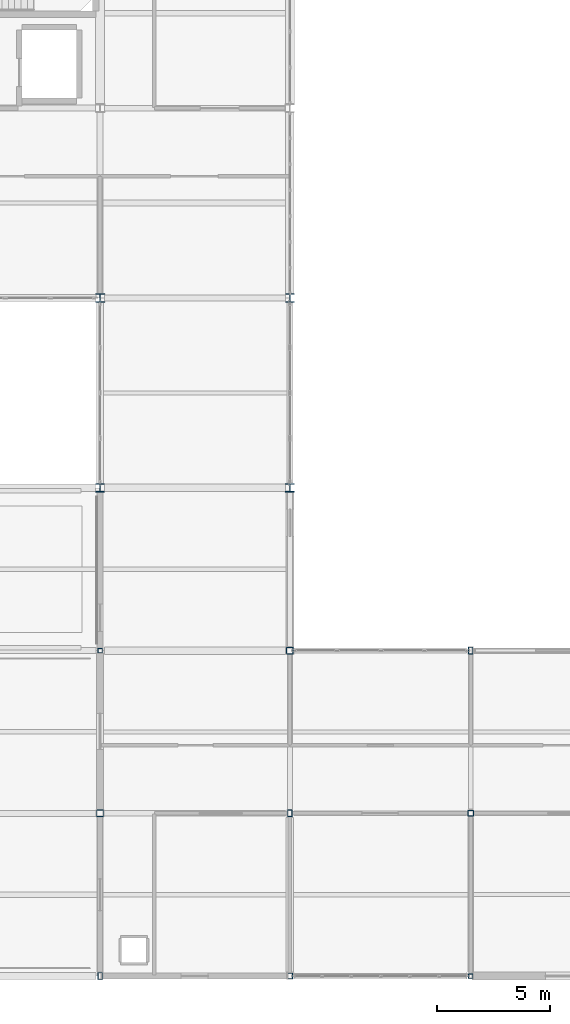
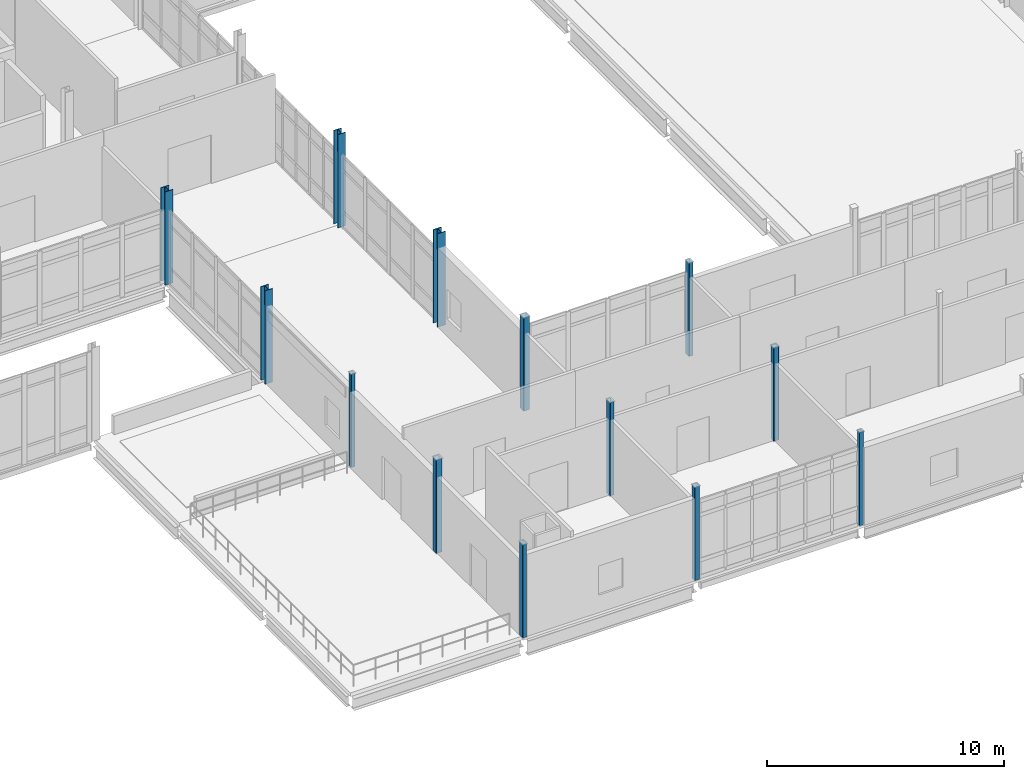
# One storey, part 5 of 186: 13 columns.
"""IFC4 building model written with IfcOpenShell, lengths in metres."""

from ifc_helpers import new_model, si_unit, direction, frame, origin, origin_2d, place, context, subcontext, project, spatial, hollow_rectangle, i_section, extrude, material, material_profile, profile_set, type_object, element, save


model = new_model("IFC4")

# Units and contexts
model_context = context("Model", 3, precision=1e-05, world=origin(), true_north=direction((0.0, 1.0)))
body_context = subcontext(model_context, "Body", "Model", "MODEL_VIEW")
ifc_project = project(units=[si_unit("LENGTHUNIT", "METRE"), si_unit("AREAUNIT", "SQUARE_METRE"), si_unit("VOLUMEUNIT", "CUBIC_METRE"), si_unit("PLANEANGLEUNIT", "RADIAN"), si_unit("MASSUNIT", "GRAM", prefix="KILO")], contexts=[model_context])

# Site, building, storey
site_placement = place(None, origin())
site = spatial("IfcSite", under=ifc_project, at=site_placement, CompositionType="ELEMENT")
building_placement = place(site_placement, origin())
building = spatial("IfcBuilding", under=site, at=building_placement, Name="Calvrana Isthmian Art Gallery", CompositionType="ELEMENT")
storey_placement = place(building_placement, frame((0.0, 0.0, 5.39990234375)))
storey = spatial("IfcBuildingStorey", under=building, at=storey_placement, Name="L01", CompositionType="ELEMENT", Elevation=5.39990234375)

# Columns
ifc_material_1 = material(Name="Steel ASTM A500 Gr C", Category="steel")
ifc_material_profile_1 = material_profile(ifc_material_1, hollow_rectangle(XDim=0.203125, YDim=0.203125, WallThickness=0.0126953125, OuterFilletRadius=0.02490234375, at=origin_2d()), Name="HSS203X203X12.7")
ifc_profile_set_1 = profile_set([ifc_material_profile_1], Name="Steel ASTM A500 Gr C")
column_type_1 = type_object("IfcColumnType", Name="COL-STL-HSS203X203X12.7", PredefinedType="COLUMN", material=ifc_profile_set_1)
for number, where, z_axis, x_axis, name in (
    (1, (72.0, 14.39990234375, 0.0), (0.0, 0.0, 1.0), (1.0, 0.0, 0.0), "Column 10/C L01"),
    (2, (88.39990234375, 0.0, 0.0), (0.0, 0.0, 1.0), (1.0, 0.0, 0.0), "Column 12/A L01"),
):
    element("IfcColumn", number, at=place(storey_placement, frame(where, z_axis=z_axis, x_axis=x_axis)), inside=storey, type_object=column_type_1, Name=name, PredefinedType="COLUMN", context=body_context, shape_type="SweptSolid", body=[
        extrude(hollow_rectangle(XDim=0.203125, YDim=0.203125, WallThickness=0.0126953125, OuterFilletRadius=0.02490234375, at=origin_2d()), origin(), (0.0, 0.0, 1.0), 4.800048828125),
    ])
ifc_material_profile_2 = material_profile(ifc_material_1, hollow_rectangle(XDim=0.25390625, YDim=0.25390625, WallThickness=0.0126953125, OuterFilletRadius=0.02490234375, at=origin_2d()), Name="HSS254X254X12.7")
ifc_profile_set_2 = profile_set([ifc_material_profile_2], Name="Steel ASTM A500 Gr C")
column_type_2 = type_object("IfcColumnType", Name="COL-STL-HSS254X254X12.7", PredefinedType="COLUMN", material=ifc_profile_set_2)
for number, where, z_axis, x_axis, name in (
    (3, (80.39990234375, 0.0, 0.0), (0.0, 0.0, 1.0), (1.0, 0.0, 0.0), "Column 11/A L01"),
    (4, (88.39990234375, 7.199951171875, 0.0), (0.0, 0.0, 1.0), (1.0, 0.0, 0.0), "Column 12/B L01"),
):
    element("IfcColumn", number, at=place(storey_placement, frame(where, z_axis=z_axis, x_axis=x_axis)), inside=storey, type_object=column_type_2, Name=name, PredefinedType="COLUMN", context=body_context, shape_type="SweptSolid", body=[
        extrude(hollow_rectangle(XDim=0.25390625, YDim=0.25390625, WallThickness=0.0126953125, OuterFilletRadius=0.02490234375, at=origin_2d()), origin(), (0.0, 0.0, 1.0), 4.800048828125),
    ])
ifc_material_profile_3 = material_profile(ifc_material_1, hollow_rectangle(XDim=0.203125, YDim=0.3046875, WallThickness=0.0126953125, OuterFilletRadius=0.02490234375, at=origin_2d()), Name="HSS305X203X12.7")
ifc_profile_set_3 = profile_set([ifc_material_profile_3], Name="Steel ASTM A500 Gr C")
column_type_3 = type_object("IfcColumnType", Name="COL-STL-HSS305X203X12.7", PredefinedType="COLUMN", material=ifc_profile_set_3)
for number, where, z_axis, x_axis, name in (
    (5, (72.0, 0.0, 0.0), (0.0, 0.0, 1.0), (1.0, 0.0, 0.0), "Column 10/A L01"),
    (6, (80.39990234375, 7.199951171875, 0.0), (0.0, 0.0, 1.0), (1.0, 0.0, 0.0), "Column 11/B L01"),
    (7, (88.39990234375, 14.39990234375, 0.0), (0.0, 0.0, 1.0), (1.0, 0.0, 0.0), "Column 12/C L01"),
):
    element("IfcColumn", number, at=place(storey_placement, frame(where, z_axis=z_axis, x_axis=x_axis)), inside=storey, type_object=column_type_3, Name=name, PredefinedType="COLUMN", context=body_context, shape_type="SweptSolid", body=[
        extrude(hollow_rectangle(XDim=0.203125, YDim=0.3046875, WallThickness=0.0126953125, OuterFilletRadius=0.02490234375, at=origin_2d()), origin(), (0.0, 0.0, 1.0), 4.800048828125),
    ])
ifc_material_profile_4 = material_profile(ifc_material_1, hollow_rectangle(XDim=0.3046875, YDim=0.3046875, WallThickness=0.015869140625, OuterFilletRadius=0.031982421875, at=origin_2d()), Name="HSS305X305X15.9")
ifc_profile_set_4 = profile_set([ifc_material_profile_4], Name="Steel ASTM A500 Gr C")
column_type_4 = type_object("IfcColumnType", Name="COL-STL-HSS305X305X15.9", PredefinedType="COLUMN", material=ifc_profile_set_4)
for number, where, z_axis, x_axis, name in (
    (8, (72.0, 7.199951171875, 0.0), (0.0, 0.0, 1.0), (1.0, 0.0, 0.0), "Column 10/B L01"),
    (9, (80.39990234375, 14.39990234375, 0.0), (0.0, 0.0, 1.0), (1.0, 0.0, 0.0), "Column 11/C L01"),
):
    element("IfcColumn", number, at=place(storey_placement, frame(where, z_axis=z_axis, x_axis=x_axis)), inside=storey, type_object=column_type_4, Name=name, PredefinedType="COLUMN", context=body_context, shape_type="SweptSolid", body=[
        extrude(hollow_rectangle(XDim=0.3046875, YDim=0.3046875, WallThickness=0.015869140625, OuterFilletRadius=0.031982421875, at=origin_2d()), origin(), (0.0, 0.0, 1.0), 4.800048828125),
    ])
ifc_material_2 = material(Name="Steel ASTM A992 Gr 50", Category="steel")
ifc_material_profile_5 = material_profile(ifc_material_2, i_section(OverallWidth=0.373046875, OverallDepth=0.373046875, WebThickness=0.016357421875, FlangeThickness=0.026123046875, FilletRadius=0.02490234375, at=origin_2d()), Name="W14X132")
ifc_profile_set_5 = profile_set([ifc_material_profile_5], Name="Steel ASTM A992 Gr 50")
column_type_5 = type_object("IfcColumnType", Name="COL-STL-W14X132", PredefinedType="COLUMN", material=ifc_profile_set_5)
for number, where, z_axis, x_axis, name in (
    (10, (72.0, 21.60009765625, 0.0), (0.0, 0.0, 1.0), (1.0, 0.0, 0.0), "Column 10/D L01"),
    (11, (80.39990234375, 30.0, 0.0), (0.0, 0.0, 1.0), (1.0, 0.0, 0.0), "Column 11/E L01"),
):
    element("IfcColumn", number, at=place(storey_placement, frame(where, z_axis=z_axis, x_axis=x_axis)), inside=storey, type_object=column_type_5, Name=name, PredefinedType="COLUMN", context=body_context, shape_type="SweptSolid", body=[
        extrude(i_section(OverallWidth=0.373046875, OverallDepth=0.373046875, WebThickness=0.016357421875, FlangeThickness=0.026123046875, FilletRadius=0.02490234375, at=origin_2d()), origin(), (0.0, 0.0, 1.0), 4.800048828125),
    ])
ifc_material_profile_6 = material_profile(ifc_material_2, i_section(OverallWidth=0.39404296875, OverallDepth=0.3759765625, WebThickness=0.017333984375, FlangeThickness=0.027587890625, FilletRadius=0.02490234375, at=origin_2d()), Name="W14X145")
ifc_profile_set_6 = profile_set([ifc_material_profile_6], Name="Steel ASTM A992 Gr 50")
column_type_6 = type_object("IfcColumnType", Name="COL-STL-W14X145", PredefinedType="COLUMN", material=ifc_profile_set_6)
column_1_placement = place(storey_placement, frame((72.0, 30.0, 0.0), z_axis=(0.0, 0.0, 1.0), x_axis=(1.0, 0.0, 0.0)))
element("IfcColumn", 12, at=column_1_placement, inside=storey, type_object=column_type_6, Name="Column 10/E L01", PredefinedType="COLUMN", context=body_context, shape_type="SweptSolid", body=[
    extrude(i_section(OverallWidth=0.39404296875, OverallDepth=0.3759765625, WebThickness=0.017333984375, FlangeThickness=0.027587890625, FilletRadius=0.02490234375, at=origin_2d()), origin(), (0.0, 0.0, 1.0), 4.800048828125),
])
ifc_material_profile_7 = material_profile(ifc_material_2, i_section(OverallWidth=0.39892578125, OverallDepth=0.385986328125, WebThickness=0.02099609375, FlangeThickness=0.033203125, FilletRadius=0.02490234375, at=origin_2d()), Name="W14X176")
ifc_profile_set_7 = profile_set([ifc_material_profile_7], Name="Steel ASTM A992 Gr 50")
column_type_7 = type_object("IfcColumnType", Name="COL-STL-W14X176", PredefinedType="COLUMN", material=ifc_profile_set_7)
column_2_placement = place(storey_placement, frame((80.39990234375, 21.60009765625, 0.0), z_axis=(0.0, 0.0, 1.0), x_axis=(1.0, 0.0, 0.0)))
element("IfcColumn", 13, at=column_2_placement, inside=storey, type_object=column_type_7, Name="Column 11/D L01", PredefinedType="COLUMN", context=body_context, shape_type="SweptSolid", body=[
    extrude(i_section(OverallWidth=0.39892578125, OverallDepth=0.385986328125, WebThickness=0.02099609375, FlangeThickness=0.033203125, FilletRadius=0.02490234375, at=origin_2d()), origin(), (0.0, 0.0, 1.0), 4.800048828125),
])

save(model, "model.ifc")
